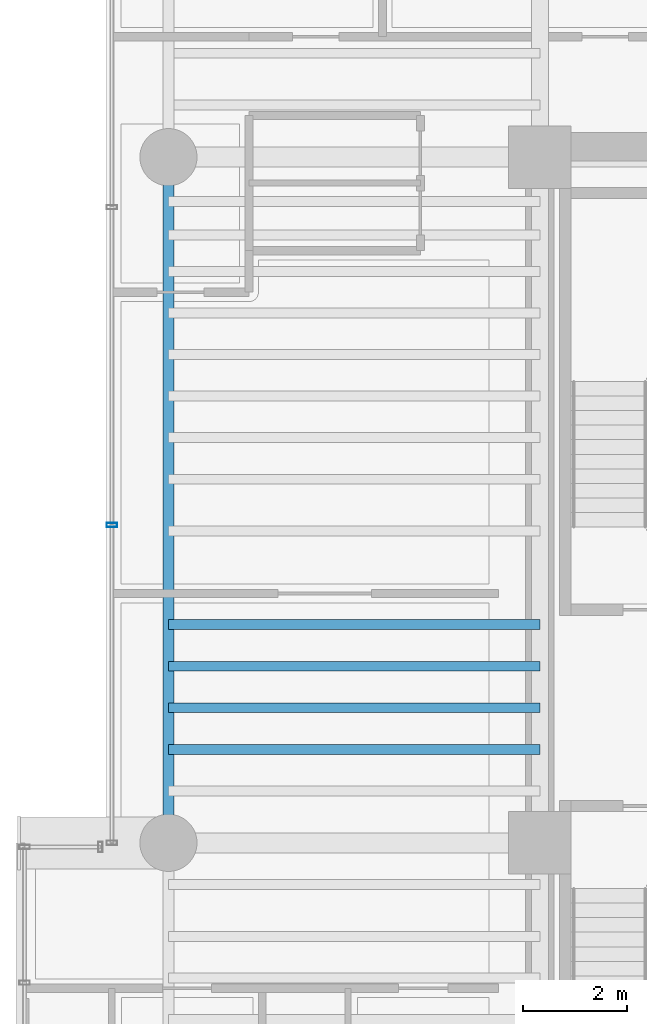
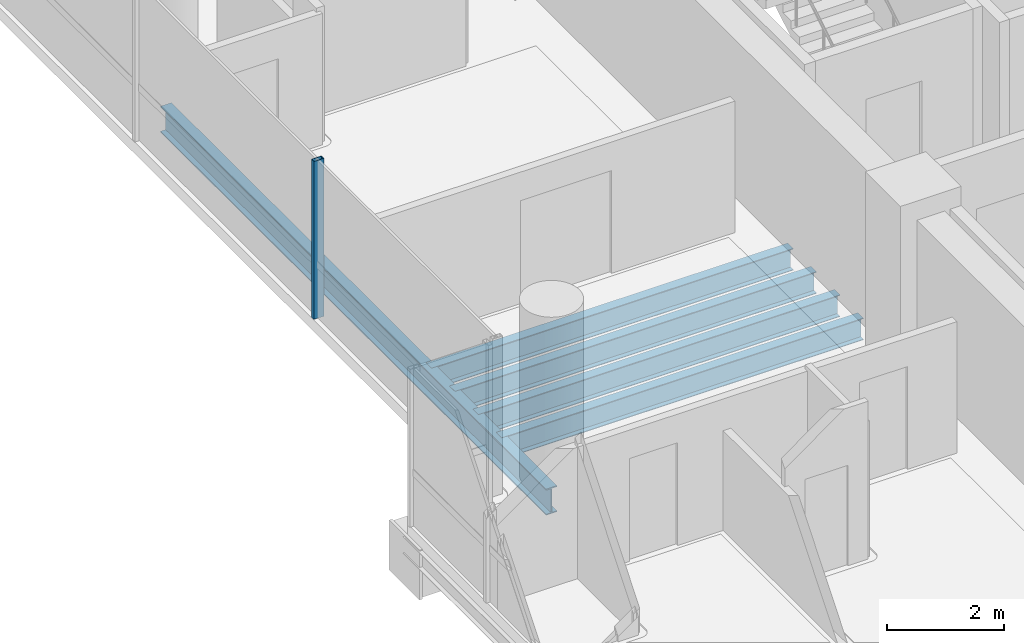
# One storey, part 8 of 35: 5 beams, 1 member, 1 element without a shape of its own.
"""IFC4 building model written with IfcOpenShell, lengths in metres."""

from ifc_helpers import new_model, si_unit, direction, frame, origin, origin_2d, place, context, subcontext, project, spatial, hollow_rectangle, i_section, extrude, source, transform, mapped, material, material_profile, profile_set, type_object, element, aggregate, save


model = new_model("IFC4")

# Units and contexts
model_context = context("Model", 3, precision=1e-05, world=origin(), true_north=direction((0.0, 1.0)))
body_context = subcontext(model_context, "Body", "Model", "MODEL_VIEW")
ifc_project = project(units=[si_unit("LENGTHUNIT", "METRE"), si_unit("AREAUNIT", "SQUARE_METRE"), si_unit("VOLUMEUNIT", "CUBIC_METRE"), si_unit("PLANEANGLEUNIT", "RADIAN"), si_unit("MASSUNIT", "GRAM", prefix="KILO")], contexts=[model_context])

# Site, building, storey
site_placement = place(None, origin())
site = spatial("IfcSite", under=ifc_project, at=site_placement, CompositionType="ELEMENT")
building_placement = place(site_placement, origin())
building = spatial("IfcBuilding", under=site, at=building_placement, Name="Valdorenza Pilgrim Sanctuary Tower", CompositionType="ELEMENT")
storey_placement = place(building_placement, frame((0.0, 0.0, 168.60009765625)))
storey = spatial("IfcBuildingStorey", under=building, at=storey_placement, Name="L43", CompositionType="ELEMENT", Elevation=168.60009765625)

# Beams
ifc_material_1 = material(Name="Steel ASTM A992 Grade 50", Category="steel")
ifc_material_profile_1 = material_profile(ifc_material_1, i_section(OverallWidth=0.214111328125, OverallDepth=0.549072265625, WebThickness=0.0146484375, FlangeThickness=0.023681640625, at=origin_2d()), Name="W21X93")
ifc_profile_set_1 = profile_set([ifc_material_profile_1], Name="Steel ASTM A992 Grade 50")
beam_type_1 = type_object("IfcBeamType", Name="STR-BM-SPN-W21A", PredefinedType="SPANDREL", material=ifc_profile_set_1)
shared_shape_1 = source(origin(), body_context, "Body", "SweptSolid", [
    extrude(i_section(OverallWidth=0.214111328125, OverallDepth=0.549072265625, WebThickness=0.0146484375, FlangeThickness=0.023681640625, at=origin_2d()), origin(), (0.0, 0.0, 1.0), 13.2001953125),
])
beam_placement = place(storey_placement, frame((-29.800048828125, -2.60009765625, -0.5146484375), z_axis=(0.0, 1.0, 0.0), x_axis=(-1.0, 0.0, 0.0)))
element("IfcBeam", 1, at=beam_placement, inside=storey, type_object=beam_type_1, Name="L43 Spandrel Beam WA-W-M0N1", PredefinedType="SPANDREL", context=body_context, shape_type="MappedRepresentation", body=[
    mapped(shared_shape_1, transform((0.0, 0.0, 0.0), x_axis=(1.0, 0.0, 0.0), y_axis=(0.0, 1.0, 0.0), z_axis=(0.0, 0.0, 1.0), scale=1.0)),
])
ifc_material_profile_2 = material_profile(ifc_material_1, i_section(OverallWidth=0.19091796875, OverallDepth=0.45703125, WebThickness=0.009033203125, FlangeThickness=0.014404296875, at=origin_2d()), Name="W18X50")
ifc_profile_set_2 = profile_set([ifc_material_profile_2], Name="Steel ASTM A992 Grade 50")
beam_type_2 = type_object("IfcBeamType", Name="STR-BM-JST-W18B", PredefinedType="JOIST", material=ifc_profile_set_2)
shared_shape_2 = source(origin(), body_context, "Body", "SweptSolid", [
    extrude(i_section(OverallWidth=0.19091796875, OverallDepth=0.45703125, WebThickness=0.009033203125, FlangeThickness=0.014404296875, at=origin_2d()), origin(), (0.0, 0.0, 1.0), 7.150146484375),
])
for number, where, z_axis, x_axis, name in (
    (2, (-29.800048828125, -0.800048828125, -0.468505859375), (1.0, 0.0, 0.0), (0.0, 1.0, 0.0), "L43 Composite Floor Joist JST-WA-11"),
    (3, (-29.800048828125, 0.0, -0.468505859375), (1.0, 0.0, 0.0), (0.0, 1.0, 0.0), "L43 Composite Floor Joist JST-WA-12"),
    (4, (-29.800048828125, 0.800048828125, -0.468505859375), (1.0, 0.0, 0.0), (0.0, 1.0, 0.0), "L43 Composite Floor Joist JST-WA-13"),
    (5, (-29.800048828125, 1.60009765625, -0.468505859375), (1.0, 0.0, 0.0), (0.0, 1.0, 0.0), "L43 Composite Floor Joist JST-WA-14"),
):
    element("IfcBeam", number, at=place(storey_placement, frame(where, z_axis=z_axis, x_axis=x_axis)), inside=storey, type_object=beam_type_2, Name=name, PredefinedType="JOIST", context=body_context, shape_type="MappedRepresentation", body=[
        mapped(shared_shape_2, transform((0.0, 0.0, 0.0), x_axis=(1.0, 0.0, 0.0), y_axis=(0.0, 1.0, 0.0), z_axis=(0.0, 0.0, 1.0), scale=1.0)),
    ])

# Curtain wall, member
ifc_material_2 = material(Name="Curtain-wall IGU glazing", Category="glass")
curtain_wall_type = type_object("IfcCurtainWallType", Name="CW-SYS-02", PredefinedType="NOTDEFINED", material=ifc_material_2)
curtain_wall_placement = place(storey_placement, origin())
curtain_wall = element("IfcCurtainWall", 6, at=curtain_wall_placement, inside=storey, type_object=curtain_wall_type, Name="L43 Curtain Wall CW-L43-1-1S2", PredefinedType="NOTDEFINED")
ifc_material_3 = material(Name="Anodised aluminium AW-6060", Category="aluminium")
ifc_material_profile_3 = material_profile(ifc_material_3, hollow_rectangle(XDim=0.0849609375, YDim=0.199951171875, WallThickness=0.0048828125, at=origin_2d()), Name="ALU-M 200x85x5")
ifc_profile_set_3 = profile_set([ifc_material_profile_3], Name="Anodised aluminium AW-6060")
member_type = type_object("IfcMemberType", Name="CW-MUL-02", PredefinedType="MULLION", material=ifc_profile_set_3)
shared_shape_3 = source(origin(), body_context, "Body", "SweptSolid", [
    extrude(hollow_rectangle(XDim=0.0849609375, YDim=0.199951171875, WallThickness=0.0048828125, at=origin_2d()), origin(), (0.0, 0.0, 1.0), 3.2998046875),
])
member_placement = place(storey_placement, frame((-30.889892578125, 3.51806640625, 0.0), z_axis=(0.0, 0.0, 1.0), x_axis=(0.0, 1.0, 0.0)))
member = element("IfcMember", 7, at=member_placement, type_object=member_type, Name="CW-L43-1-1S2 Mullion 2", PredefinedType="MULLION", context=body_context, shape_type="MappedRepresentation", body=[
    mapped(shared_shape_3, transform((0.0, 0.0, 0.0), x_axis=(1.0, 0.0, 0.0), y_axis=(0.0, 1.0, 0.0), z_axis=(0.0, 0.0, 1.0), scale=1.0)),
])
aggregate(curtain_wall, [member])

save(model, "model.ifc")
